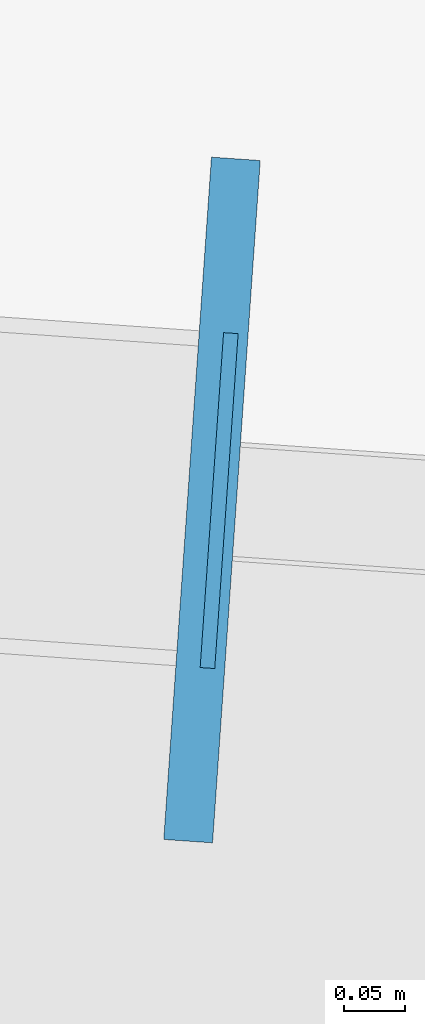
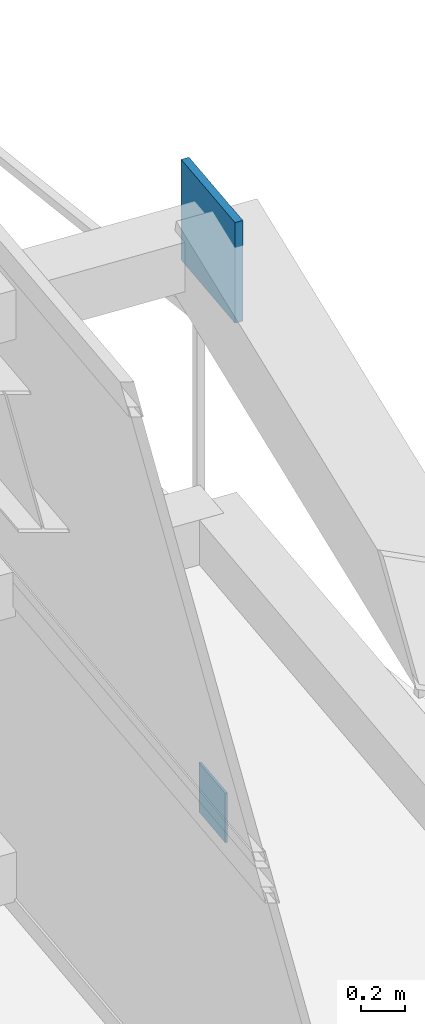
# One storey, part 28 of 36: 2 plates.
"""IFC4 building model written with IfcOpenShell, lengths in metres."""

from ifc_helpers import new_model, si_unit, direction, frame, origin, origin_2d, place, context, subcontext, project, spatial, rectangle, extrude, source, transform, mapped, material, layer, layer_set, type_object, element, save


model = new_model("IFC4")

# Units and contexts
model_context = context("Model", 3, precision=1e-05, world=origin(), true_north=direction((0.0, 1.0)))
body_context = subcontext(model_context, "Body", "Model", "MODEL_VIEW")
ifc_project = project(units=[si_unit("LENGTHUNIT", "METRE"), si_unit("AREAUNIT", "SQUARE_METRE"), si_unit("VOLUMEUNIT", "CUBIC_METRE"), si_unit("PLANEANGLEUNIT", "RADIAN"), si_unit("MASSUNIT", "GRAM", prefix="KILO")], contexts=[model_context])

# Site, building, storey
site_placement = place(None, origin())
site = spatial("IfcSite", under=ifc_project, at=site_placement, CompositionType="ELEMENT")
building_placement = place(site_placement, origin())
building = spatial("IfcBuilding", under=site, at=building_placement, Name="Taldren Reach Tower", CompositionType="ELEMENT")
storey_placement = place(building_placement, frame((0.0, 0.0, 116.550048828125)))
storey = spatial("IfcBuildingStorey", under=building, at=storey_placement, Name="L35", CompositionType="ELEMENT", Elevation=116.550048828125)

# Plates
ifc_material = material(Name="Steel Gr 450 (C450L0)", Category="steel")
ifc_layer_1 = layer(ifc_material, 0.0400390625)
ifc_layer_set_1 = layer_set([ifc_layer_1], Name="Steel Gr 450 (C450L0)")
plate_type_1 = type_object("IfcPlateType", Name="PL-GUSSET-40", PredefinedType="SHEET", material=ifc_layer_set_1)
shared_shape_1 = source(origin(), body_context, "Body", "SweptSolid", [
    extrude(rectangle(XDim=0.56005859375, YDim=0.0400390625, at=origin_2d()), origin(), (0.0, 0.0, 1.0), 0.56005859375),
])
plate_1_placement = place(storey_placement, frame((62.87744140625, 30.992431640625, 3.06982421875), z_axis=(0.0, 0.0, 1.0), x_axis=(0.069756473744, 0.99756405026, 0.0)))
element("IfcPlate", 1, at=plate_1_placement, inside=storey, type_object=plate_type_1, Name="Exoskeleton star-node gusset plate B3-E3 L35", PredefinedType="SHEET", context=body_context, shape_type="MappedRepresentation", body=[
    mapped(shared_shape_1, transform((0.0, 0.0, 0.0), scale=1.0)),
])
ifc_layer_2 = layer(ifc_material, 0.011962890625)
ifc_layer_set_2 = layer_set([ifc_layer_2], Name="Steel Gr 450 (C450L0)")
plate_type_2 = type_object("IfcPlateType", Name="PL-CAP-275", PredefinedType="SHEET", material=ifc_layer_set_2)
shared_shape_2 = source(origin(), body_context, "Body", "SweptSolid", [
    extrude(rectangle(XDim=0.011962890625, YDim=0.27490234375, at=origin_2d()), origin(), (0.0, 0.0, 1.0), 0.27490234375),
])
plate_2_placement = place(storey_placement, frame((62.88330078125, 30.991943359375, 0.08251953125), z_axis=(0.0, 0.0, 1.0), x_axis=(0.99756405026, -0.069756473744, 0.0)))
element("IfcPlate", 2, at=plate_2_placement, inside=storey, type_object=plate_type_2, Name="Tie strut end cap plate B3-E3 L35", PredefinedType="SHEET", context=body_context, shape_type="MappedRepresentation", body=[
    mapped(shared_shape_2, transform((0.0, 0.0, 0.0), scale=1.0)),
])

save(model, "model.ifc")
